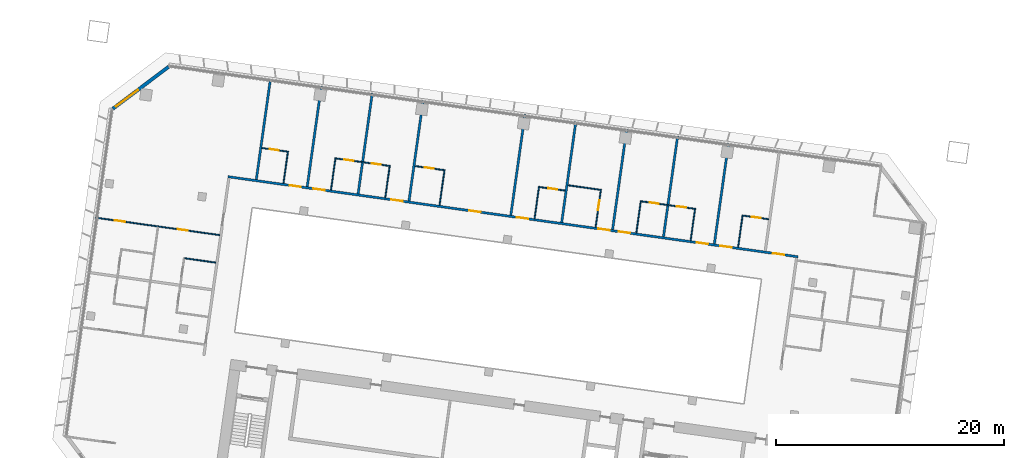
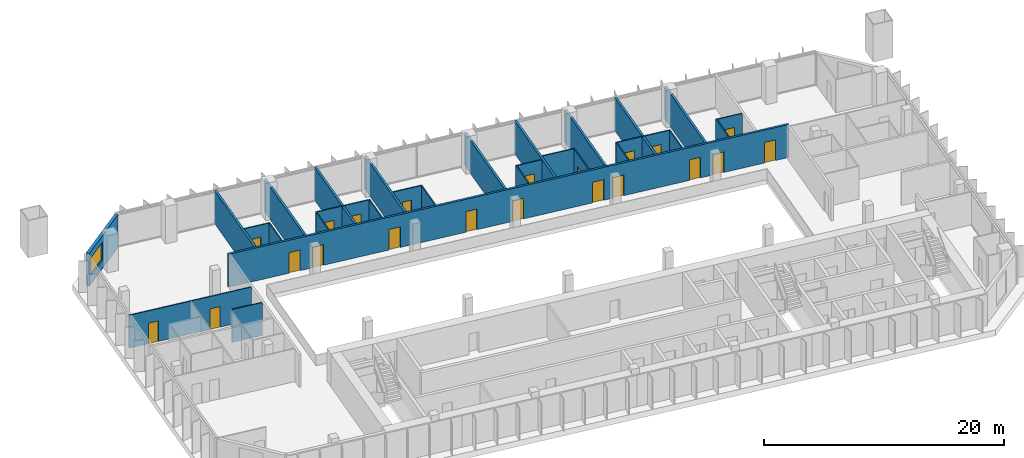
# One storey, part 16 of 24: 29 walls, 21 doors, 1 window, 22 openings.
"""IFC4 building model written with IfcOpenShell, lengths in metres."""

import ifcopenshell
import ifcopenshell.guid

model = None  # the IFC model being written
_history = None  # IfcOwnerHistory: only IFC2X3 demands one
_inside = {}  # id of a spatial element -> (the spatial element, [elements in it])
_under = {}  # id of a project, library or spatial element -> (it, [spatial elements below it])
_declared = {}  # id of a project -> (the project, [libraries it declares])
_typed = {}  # id of a type object -> (the type object, [elements of that type])
_made_of = {}  # id of a material, layer set ... -> (it, [elements and type objects made of it])


def new_model(schema):
    """Start an empty IFC model of exactly this schema.

    Asked for "IFC4X3", IfcOpenShell would pick the latest addendum, in which some entities
    have other attributes; the version numbers below select the first issue.
    IFC2X3 requires an IfcOwnerHistory on every rooted entity: one is made here for all.
    """
    global model, _history
    if schema == "IFC4X3":
        model = ifcopenshell.file(schema_version=(4, 3, 0, 0))
    else:
        model = ifcopenshell.file(schema=schema)
    _inside.clear()
    _under.clear()
    _declared.clear()
    _typed.clear()
    _made_of.clear()
    _history = None
    if model.schema == "IFC2X3":
        org = make("IfcOrganization", Name="unknown")
        user = make(
            "IfcPersonAndOrganization",
            ThePerson=make("IfcPerson", FamilyName="unknown"),
            TheOrganization=org,
        )
        app = make(
            "IfcApplication",
            ApplicationDeveloper=org,
            Version="unknown",
            ApplicationFullName="unknown",
            ApplicationIdentifier="unknown",
        )
        _history = make(
            "IfcOwnerHistory",
            OwningUser=user,
            OwningApplication=app,
            ChangeAction="ADDED",
            CreationDate=0,
        )
    return model


def make(cls, **values):
    """One entity of the class cls with the attributes given. An attribute that is None is left unset."""
    return model.create_entity(
        cls, **{name: value for name, value in values.items() if value is not None}
    )


def rooted(cls, **values):
    """An entity with a GlobalId (a new one), such as an element, a storey or a relation."""
    return make(cls, GlobalId=ifcopenshell.guid.new(), OwnerHistory=_history, **values)


def si_unit(unit_type, name, prefix=None):
    """IfcSIUnit, for example si_unit("LENGTHUNIT", "METRE", prefix="MILLI")."""
    return make("IfcSIUnit", UnitType=unit_type, Prefix=prefix, Name=name)


def assignment(units):
    """IfcUnitAssignment: the units of a project."""
    return None if units is None else make("IfcUnitAssignment", Units=units)


def point(xyz):
    """IfcCartesianPoint."""
    return None if xyz is None else make("IfcCartesianPoint", Coordinates=xyz)


def direction(xyz):
    """IfcDirection."""
    return None if xyz is None else make("IfcDirection", DirectionRatios=xyz)


def frame(location, z_axis=None, x_axis=None):
    """IfcAxis2Placement3D, a coordinate frame: its origin and axes. An axis left out is left unset."""
    return make(
        "IfcAxis2Placement3D",
        Location=point(location),
        Axis=direction(z_axis),
        RefDirection=direction(x_axis),
    )


def frame_2d(location, x_axis=None):
    """IfcAxis2Placement2D, a coordinate frame in the plane: its origin and x axis."""
    return make(
        "IfcAxis2Placement2D", Location=point(location), RefDirection=direction(x_axis)
    )


def origin():
    """The frame at (0, 0, 0) with its axes left unset."""
    return frame((0.0, 0.0, 0.0))


def place(relative_to, where):
    """IfcLocalPlacement: puts the frame where relative to a parent placement (None: the world)."""
    return make(
        "IfcLocalPlacement", PlacementRelTo=relative_to, RelativePlacement=where
    )


def context(
    kind, dimensions, precision=None, world=None, true_north=None, identifier=None
):
    """IfcGeometricRepresentationContext, for example the 3D "Model" context."""
    return make(
        "IfcGeometricRepresentationContext",
        ContextIdentifier=identifier,
        ContextType=kind,
        CoordinateSpaceDimension=dimensions,
        Precision=precision,
        WorldCoordinateSystem=world,
        TrueNorth=true_north,
    )


def subcontext(parent, identifier, kind, view, scale=None):
    """IfcGeometricRepresentationSubContext, for example "Body" below "Model"."""
    return make(
        "IfcGeometricRepresentationSubContext",
        ContextIdentifier=identifier,
        ContextType=kind,
        ParentContext=parent,
        TargetScale=scale,
        TargetView=view,
    )


def project(units=None, contexts=None):
    """IfcProject with its units and contexts."""
    return rooted(
        "IfcProject",
        Name="project",
        RepresentationContexts=contexts,
        UnitsInContext=assignment(units),
    )


def spatial(cls, under=None, at=None, **own):
    """A site, building, storey or space (cls), placed at a placement, below another one or the project."""
    s = rooted(cls, ObjectPlacement=at, **own)
    if under is not None:
        _under.setdefault(under.id(), (under, []))[1].append(s)
    return s


def profile(cls, at=None, kind="AREA", **sizes):
    """A parametric profile (cls). Its sizes go by their IFC names, for example OverallWidth=200.0."""
    return make(cls, ProfileType=kind, Position=at, **sizes)


def rectangle(**sizes):
    """IfcRectangleProfileDef."""
    return profile("IfcRectangleProfileDef", **sizes)


def extrude(swept, where, along, depth):
    """IfcExtrudedAreaSolid: the profile swept, set in the frame where, extruded along a direction by depth."""
    return make(
        "IfcExtrudedAreaSolid",
        SweptArea=swept,
        Position=where,
        ExtrudedDirection=direction(along),
        Depth=depth,
    )


def shape(context_of_items, identifier, shape_type, items):
    """IfcShapeRepresentation: the items that make up one representation, for example the "Body"."""
    return make(
        "IfcShapeRepresentation",
        ContextOfItems=context_of_items,
        RepresentationIdentifier=identifier,
        RepresentationType=shape_type,
        Items=items,
    )


def material(Name=None, Category=None):
    """IfcMaterial."""
    return make("IfcMaterial", Name=Name, Category=Category)


def layer(
    of_material, thickness, ventilated=None, Name=None, Category=None, Priority=None
):
    """IfcMaterialLayer: one layer of a wall or slab, of a material (None: an air gap)."""
    return make(
        "IfcMaterialLayer",
        Material=of_material,
        LayerThickness=thickness,
        IsVentilated=ventilated,
        Name=Name,
        Category=Category,
        Priority=Priority,
    )


def layer_set(layers, Name=None):
    """IfcMaterialLayerSet."""
    return make("IfcMaterialLayerSet", MaterialLayers=layers, LayerSetName=Name)


def made_of(thing, what):
    """Note that an element or type object is made of a material, layer set ...; save() writes the relation."""
    if what is not None:
        _made_of.setdefault(what.id(), (what, []))[1].append(thing)
    return thing


def type_object(cls, material=None, **own):
    """A type object (cls), such as IfcWallType, which elements share."""
    return made_of(rooted(cls, **own), material)


def element(
    cls,
    number,
    at=None,
    inside=None,
    cuts=None,
    type_object=None,
    material=None,
    context=None,
    identifier="Body",
    shape_type=None,
    held_by="IfcProductDefinitionShape",
    body=None,
    shapes=None,
    **own,
):
    """One element of the class cls, such as IfcWall. Its Tag is "e" and its number.

    at: its placement. inside: the storey or other place that contains it. cuts: it is an
    opening in that element (IfcRelVoidsElement). A single representation is given by context,
    identifier, shape_type and body (its items); several are given by shapes. held_by: the class
    of the entity that holds the representations. save() writes the other relations.
    """
    e = rooted(cls, Tag="e%d" % number, ObjectPlacement=at, **own)
    if body is not None:
        shapes = [shape(context, identifier, shape_type, body)]
    if shapes is not None:
        e.Representation = make(held_by, Representations=shapes)
    if inside is not None:
        _inside.setdefault(inside.id(), (inside, []))[1].append(e)
    if cuts is not None:
        rooted(
            "IfcRelVoidsElement", RelatingBuildingElement=cuts, RelatedOpeningElement=e
        )
    if type_object is not None:
        _typed.setdefault(type_object.id(), (type_object, []))[1].append(e)
    return made_of(e, material)


def fill(opening, filler):
    """IfcRelFillsElement: the door or window that sits in an opening."""
    return rooted(
        "IfcRelFillsElement",
        RelatingOpeningElement=opening,
        RelatedBuildingElement=filler,
    )


def aggregate(whole, parts):
    """IfcRelAggregates: a whole, such as a stair, and the parts it consists of."""
    return rooted("IfcRelAggregates", RelatingObject=whole, RelatedObjects=parts)


def save(model, path):
    """Write the relations noted so far, then the file.

    IfcRelAggregates (storeys below a building ...), IfcRelContainedInSpatialStructure (elements
    in a storey), IfcRelDefinesByType, IfcRelAssociatesMaterial and IfcRelDeclares: one each for
    every whole, place, type object, material and project.
    """
    for whole, parts in _under.values():
        aggregate(whole, parts)
    for where, things in _inside.values():
        rooted(
            "IfcRelContainedInSpatialStructure",
            RelatedElements=things,
            RelatingStructure=where,
        )
    for kind, things in _typed.values():
        rooted("IfcRelDefinesByType", RelatedObjects=things, RelatingType=kind)
    for what, things in _made_of.values():
        rooted("IfcRelAssociatesMaterial", RelatedObjects=things, RelatingMaterial=what)
    for by, libraries in _declared.values():
        rooted("IfcRelDeclares", RelatingContext=by, RelatedDefinitions=libraries)
    model.write(path)


model = new_model("IFC4")

# Units and contexts
model_context = context("Model", 3, precision=1e-05, world=origin(), true_north=direction((0.0, 1.0)))
body_context = subcontext(model_context, "Body", "Model", "MODEL_VIEW")
ifc_project = project(units=[si_unit("LENGTHUNIT", "METRE"), si_unit("AREAUNIT", "SQUARE_METRE"), si_unit("VOLUMEUNIT", "CUBIC_METRE"), si_unit("PLANEANGLEUNIT", "RADIAN"), si_unit("MASSUNIT", "GRAM", prefix="KILO")], contexts=[model_context])

# Site, building, storey
site_placement = place(None, origin())
site = spatial("IfcSite", under=ifc_project, at=site_placement, CompositionType="ELEMENT")
building_placement = place(site_placement, origin())
building = spatial("IfcBuilding", under=site, at=building_placement, Name="Mirante Cascada Hotel Towers", CompositionType="ELEMENT")
storey_placement = place(building_placement, frame((0.0, 0.0, 47.1)))
storey = spatial("IfcBuildingStorey", under=building, at=storey_placement, Name="L08", CompositionType="ELEMENT", Elevation=47.1)

# Wall, openings, doors
ifc_material_1 = material(Name="Fire-rated plasterboard on metal studs")
ifc_layer_1 = layer(ifc_material_1, 0.2)
ifc_layer_set_1 = layer_set([ifc_layer_1], Name="Compartment wall 200 EI 120")
wall_type_1 = type_object("IfcWallType", Name="Compartment wall 200 EI 120", PredefinedType="PARTITIONING", material=ifc_layer_set_1)
wall_1_placement = place(storey_placement, frame((-89.0146, 16.3922, 0.0), z_axis=(0.0, 0.0, 1.0), x_axis=(0.9902681, -0.1391727, 0.0)))
wall_1 = element("IfcWall", 1, at=wall_1_placement, inside=storey, type_object=wall_type_1, Name="Wall 1-L08-18", PredefinedType="PARTITIONING", context=body_context, shape_type="SweptSolid", body=[
    extrude(rectangle(XDim=50.4, YDim=0.2, at=frame_2d((25.2, 0.0))), origin(), (0.0, 0.0, 1.0), 3.35),
])
opening_1_placement = place(wall_1_placement, frame((48.2, 0.0, 0.0)))
opening_1 = element("IfcOpeningElement", 2, at=opening_1_placement, cuts=wall_1, Name="Opening D1-L08-09", PredefinedType="OPENING", context=body_context, shape_type="SweptSolid", body=[
    extrude(rectangle(XDim=1.0, YDim=2.1, at=frame_2d((0.5, 1.05))), frame((0.0, 0.1, 0.0), z_axis=(0.0, -1.0, 0.0), x_axis=(1.0, 0.0, 0.0)), (0.0, 0.0, 1.0), 0.2),
])
opening_2_placement = place(wall_1_placement, frame((43.55, 0.0, 0.0)))
opening_2 = element("IfcOpeningElement", 3, at=opening_2_placement, cuts=wall_1, Name="Opening D1-L08-10", PredefinedType="OPENING", context=body_context, shape_type="SweptSolid", body=[
    extrude(rectangle(XDim=1.0, YDim=2.1, at=frame_2d((0.5, 1.05))), frame((0.0, 0.1, 0.0), z_axis=(0.0, -1.0, 0.0), x_axis=(1.0, 0.0, 0.0)), (0.0, 0.0, 1.0), 0.2),
])
opening_3_placement = place(wall_1_placement, frame((41.45, 0.0, 0.0)))
opening_3 = element("IfcOpeningElement", 4, at=opening_3_placement, cuts=wall_1, Name="Opening D1-L08-11", PredefinedType="OPENING", context=body_context, shape_type="SweptSolid", body=[
    extrude(rectangle(XDim=1.0, YDim=2.1, at=frame_2d((0.5, 1.05))), frame((0.0, 0.1, 0.0), z_axis=(0.0, -1.0, 0.0), x_axis=(1.0, 0.0, 0.0)), (0.0, 0.0, 1.0), 0.2),
])
opening_4_placement = place(wall_1_placement, frame((34.55, 0.0, 0.0)))
opening_4 = element("IfcOpeningElement", 5, at=opening_4_placement, cuts=wall_1, Name="Opening D1-L08-12", PredefinedType="OPENING", context=body_context, shape_type="SweptSolid", body=[
    extrude(rectangle(XDim=1.0, YDim=2.1, at=frame_2d((0.5, 1.05))), frame((0.0, 0.1, 0.0), z_axis=(0.0, -1.0, 0.0), x_axis=(1.0, 0.0, 0.0)), (0.0, 0.0, 1.0), 0.2),
])
opening_5_placement = place(wall_1_placement, frame((32.75, 0.0, 0.0)))
opening_5 = element("IfcOpeningElement", 6, at=opening_5_placement, cuts=wall_1, Name="Opening D1-L08-13", PredefinedType="OPENING", context=body_context, shape_type="SweptSolid", body=[
    extrude(rectangle(XDim=1.0, YDim=2.1, at=frame_2d((0.5, 1.05))), frame((0.0, 0.1, 0.0), z_axis=(0.0, -1.0, 0.0), x_axis=(1.0, 0.0, 0.0)), (0.0, 0.0, 1.0), 0.2),
])
opening_6_placement = place(wall_1_placement, frame((25.55, 0.0, 0.0)))
opening_6 = element("IfcOpeningElement", 7, at=opening_6_placement, cuts=wall_1, Name="Opening D1-L08-14", PredefinedType="OPENING", context=body_context, shape_type="SweptSolid", body=[
    extrude(rectangle(XDim=1.0, YDim=2.1, at=frame_2d((0.5, 1.05))), frame((0.0, 0.1, 0.0), z_axis=(0.0, -1.0, 0.0), x_axis=(1.0, 0.0, 0.0)), (0.0, 0.0, 1.0), 0.2),
])
opening_7_placement = place(wall_1_placement, frame((21.35, 0.0, 0.0)))
opening_7 = element("IfcOpeningElement", 8, at=opening_7_placement, cuts=wall_1, Name="Opening D1-L08-15", PredefinedType="OPENING", context=body_context, shape_type="SweptSolid", body=[
    extrude(rectangle(XDim=1.0, YDim=2.1, at=frame_2d((0.5, 1.05))), frame((0.0, 0.1, 0.0), z_axis=(0.0, -1.0, 0.0), x_axis=(1.0, 0.0, 0.0)), (0.0, 0.0, 1.0), 0.2),
])
opening_8_placement = place(wall_1_placement, frame((14.45, 0.0, 0.0)))
opening_8 = element("IfcOpeningElement", 9, at=opening_8_placement, cuts=wall_1, Name="Opening D1-L08-16", PredefinedType="OPENING", context=body_context, shape_type="SweptSolid", body=[
    extrude(rectangle(XDim=1.0, YDim=2.1, at=frame_2d((0.5, 1.05))), frame((0.0, 0.1, 0.0), z_axis=(0.0, -1.0, 0.0), x_axis=(1.0, 0.0, 0.0)), (0.0, 0.0, 1.0), 0.2),
])
opening_9_placement = place(wall_1_placement, frame((7.55, 0.0, 0.0)))
opening_9 = element("IfcOpeningElement", 10, at=opening_9_placement, cuts=wall_1, Name="Opening D1-L08-17", PredefinedType="OPENING", context=body_context, shape_type="SweptSolid", body=[
    extrude(rectangle(XDim=1.0, YDim=2.1, at=frame_2d((0.5, 1.05))), frame((0.0, 0.1, 0.0), z_axis=(0.0, -1.0, 0.0), x_axis=(1.0, 0.0, 0.0)), (0.0, 0.0, 1.0), 0.2),
])
opening_10_placement = place(wall_1_placement, frame((5.45, 0.0, 0.0)))
opening_10 = element("IfcOpeningElement", 11, at=opening_10_placement, cuts=wall_1, Name="Opening D1-L08-18", PredefinedType="OPENING", context=body_context, shape_type="SweptSolid", body=[
    extrude(rectangle(XDim=1.0, YDim=2.1, at=frame_2d((0.5, 1.05))), frame((0.0, 0.1, 0.0), z_axis=(0.0, -1.0, 0.0), x_axis=(1.0, 0.0, 0.0)), (0.0, 0.0, 1.0), 0.2),
])
ifc_material_2 = material(Name="Fire-rated timber door leaf", Category="wood")
door_type_1 = type_object("IfcDoorType", Name="Entrance door DG1 1000x2100 EI 60", OperationType="SINGLE_SWING_LEFT", PredefinedType="DOOR", material=ifc_material_2)
door_1_placement = place(opening_1_placement, origin())
door_1 = element("IfcDoor", 12, at=door_1_placement, inside=storey, type_object=door_type_1, Name="Door D1-L08-09", OperationType="SINGLE_SWING_LEFT", OverallHeight=2.1, OverallWidth=1.0, PredefinedType="DOOR", context=body_context, shape_type="SweptSolid", body=[
    extrude(rectangle(XDim=1.0, YDim=2.1, at=frame_2d((0.5, 1.05))), frame((0.0, 0.025, 0.0), z_axis=(0.0, -1.0, 0.0), x_axis=(1.0, 0.0, 0.0)), (0.0, 0.0, 1.0), 0.05),
])
fill(opening_1, door_1)
door_2_placement = place(opening_2_placement, origin())
door_2 = element("IfcDoor", 13, at=door_2_placement, inside=storey, type_object=door_type_1, Name="Door D1-L08-10", OperationType="SINGLE_SWING_LEFT", OverallHeight=2.1, OverallWidth=1.0, PredefinedType="DOOR", context=body_context, shape_type="SweptSolid", body=[
    extrude(rectangle(XDim=1.0, YDim=2.1, at=frame_2d((0.5, 1.05))), frame((0.0, 0.025, 0.0), z_axis=(0.0, -1.0, 0.0), x_axis=(1.0, 0.0, 0.0)), (0.0, 0.0, 1.0), 0.05),
])
fill(opening_2, door_2)
door_3_placement = place(opening_3_placement, origin())
door_3 = element("IfcDoor", 14, at=door_3_placement, inside=storey, type_object=door_type_1, Name="Door D1-L08-11", OperationType="SINGLE_SWING_LEFT", OverallHeight=2.1, OverallWidth=1.0, PredefinedType="DOOR", context=body_context, shape_type="SweptSolid", body=[
    extrude(rectangle(XDim=1.0, YDim=2.1, at=frame_2d((0.5, 1.05))), frame((0.0, 0.025, 0.0), z_axis=(0.0, -1.0, 0.0), x_axis=(1.0, 0.0, 0.0)), (0.0, 0.0, 1.0), 0.05),
])
fill(opening_3, door_3)
door_4_placement = place(opening_4_placement, origin())
door_4 = element("IfcDoor", 15, at=door_4_placement, inside=storey, type_object=door_type_1, Name="Door D1-L08-12", OperationType="SINGLE_SWING_LEFT", OverallHeight=2.1, OverallWidth=1.0, PredefinedType="DOOR", context=body_context, shape_type="SweptSolid", body=[
    extrude(rectangle(XDim=1.0, YDim=2.1, at=frame_2d((0.5, 1.05))), frame((0.0, 0.025, 0.0), z_axis=(0.0, -1.0, 0.0), x_axis=(1.0, 0.0, 0.0)), (0.0, 0.0, 1.0), 0.05),
])
fill(opening_4, door_4)
door_5_placement = place(opening_5_placement, origin())
door_5 = element("IfcDoor", 16, at=door_5_placement, inside=storey, type_object=door_type_1, Name="Door D1-L08-13", OperationType="SINGLE_SWING_LEFT", OverallHeight=2.1, OverallWidth=1.0, PredefinedType="DOOR", context=body_context, shape_type="SweptSolid", body=[
    extrude(rectangle(XDim=1.0, YDim=2.1, at=frame_2d((0.5, 1.05))), frame((0.0, 0.025, 0.0), z_axis=(0.0, -1.0, 0.0), x_axis=(1.0, 0.0, 0.0)), (0.0, 0.0, 1.0), 0.05),
])
fill(opening_5, door_5)
door_6_placement = place(opening_6_placement, origin())
door_6 = element("IfcDoor", 17, at=door_6_placement, inside=storey, type_object=door_type_1, Name="Door D1-L08-14", OperationType="SINGLE_SWING_LEFT", OverallHeight=2.1, OverallWidth=1.0, PredefinedType="DOOR", context=body_context, shape_type="SweptSolid", body=[
    extrude(rectangle(XDim=1.0, YDim=2.1, at=frame_2d((0.5, 1.05))), frame((0.0, 0.025, 0.0), z_axis=(0.0, -1.0, 0.0), x_axis=(1.0, 0.0, 0.0)), (0.0, 0.0, 1.0), 0.05),
])
fill(opening_6, door_6)
door_7_placement = place(opening_7_placement, origin())
door_7 = element("IfcDoor", 18, at=door_7_placement, inside=storey, type_object=door_type_1, Name="Door D1-L08-15", OperationType="SINGLE_SWING_LEFT", OverallHeight=2.1, OverallWidth=1.0, PredefinedType="DOOR", context=body_context, shape_type="SweptSolid", body=[
    extrude(rectangle(XDim=1.0, YDim=2.1, at=frame_2d((0.5, 1.05))), frame((0.0, 0.025, 0.0), z_axis=(0.0, -1.0, 0.0), x_axis=(1.0, 0.0, 0.0)), (0.0, 0.0, 1.0), 0.05),
])
fill(opening_7, door_7)
door_8_placement = place(opening_8_placement, origin())
door_8 = element("IfcDoor", 19, at=door_8_placement, inside=storey, type_object=door_type_1, Name="Door D1-L08-16", OperationType="SINGLE_SWING_LEFT", OverallHeight=2.1, OverallWidth=1.0, PredefinedType="DOOR", context=body_context, shape_type="SweptSolid", body=[
    extrude(rectangle(XDim=1.0, YDim=2.1, at=frame_2d((0.5, 1.05))), frame((0.0, 0.025, 0.0), z_axis=(0.0, -1.0, 0.0), x_axis=(1.0, 0.0, 0.0)), (0.0, 0.0, 1.0), 0.05),
])
fill(opening_8, door_8)
door_9_placement = place(opening_9_placement, origin())
door_9 = element("IfcDoor", 20, at=door_9_placement, inside=storey, type_object=door_type_1, Name="Door D1-L08-17", OperationType="SINGLE_SWING_LEFT", OverallHeight=2.1, OverallWidth=1.0, PredefinedType="DOOR", context=body_context, shape_type="SweptSolid", body=[
    extrude(rectangle(XDim=1.0, YDim=2.1, at=frame_2d((0.5, 1.05))), frame((0.0, 0.025, 0.0), z_axis=(0.0, -1.0, 0.0), x_axis=(1.0, 0.0, 0.0)), (0.0, 0.0, 1.0), 0.05),
])
fill(opening_9, door_9)
door_10_placement = place(opening_10_placement, origin())
door_10 = element("IfcDoor", 21, at=door_10_placement, inside=storey, type_object=door_type_1, Name="Door D1-L08-18", OperationType="SINGLE_SWING_LEFT", OverallHeight=2.1, OverallWidth=1.0, PredefinedType="DOOR", context=body_context, shape_type="SweptSolid", body=[
    extrude(rectangle(XDim=1.0, YDim=2.1, at=frame_2d((0.5, 1.05))), frame((0.0, 0.025, 0.0), z_axis=(0.0, -1.0, 0.0), x_axis=(1.0, 0.0, 0.0)), (0.0, 0.0, 1.0), 0.05),
])
fill(opening_10, door_10)

# Walls
for number, where, z_axis, x_axis, name in (
    (22, (-46.4192, 10.5068, 0.0), (0.0, 0.0, 1.0), (0.1391794, 0.9902672, 0.0), "Wall 1-L08-37"),
    (23, (-50.8754, 11.1331, 0.0), (0.0, 0.0, 1.0), (0.1391794, 0.9902672, 0.0), "Wall 1-L08-39"),
    (24, (-55.3316, 11.7594, 0.0), (0.0, 0.0, 1.0), (0.1391794, 0.9902672, 0.0), "Wall 1-L08-41"),
):
    element("IfcWall", number, at=place(storey_placement, frame(where, z_axis=z_axis, x_axis=x_axis)), inside=storey, type_object=wall_type_1, Name=name, PredefinedType="PARTITIONING", context=body_context, shape_type="SweptSolid", body=[
        extrude(rectangle(XDim=8.9, YDim=0.2, at=frame_2d((4.45, 0.0))), origin(), (0.0, 0.0, 1.0), 3.35),
    ])
wall_2_placement = place(storey_placement, frame((-59.7878, 12.3857, 0.0), z_axis=(0.0, 0.0, 1.0), x_axis=(0.13917, 0.9902685, 0.0)))
element("IfcWall", 25, at=wall_2_placement, inside=storey, type_object=wall_type_1, Name="Wall 1-L08-43", PredefinedType="PARTITIONING", context=body_context, shape_type="SweptSolid", body=[
    extrude(rectangle(XDim=8.8999, YDim=0.2, at=frame_2d((4.45, 0.0))), origin(), (0.0, 0.0, 1.0), 3.35),
])
for number, where, z_axis, x_axis, name in (
    (26, (-64.244, 13.0119, 0.0), (0.0, 0.0, 1.0), (0.1391684, 0.9902687, 0.0), "Wall 1-L08-45"),
    (27, (-73.1564, 14.2645, 0.0), (0.0, 0.0, 1.0), (0.1391684, 0.9902687, 0.0), "Wall 1-L08-47"),
    (28, (-77.6126, 14.8908, 0.0), (0.0, 0.0, 1.0), (0.1391684, 0.9902687, 0.0), "Wall 1-L08-49"),
):
    element("IfcWall", number, at=place(storey_placement, frame(where, z_axis=z_axis, x_axis=x_axis)), inside=storey, type_object=wall_type_1, Name=name, PredefinedType="PARTITIONING", context=body_context, shape_type="SweptSolid", body=[
        extrude(rectangle(XDim=8.9, YDim=0.2, at=frame_2d((4.45, 0.0))), origin(), (0.0, 0.0, 1.0), 3.35),
    ])
wall_3_placement = place(storey_placement, frame((-82.0688, 15.5171, 0.0), z_axis=(0.0, 0.0, 1.0), x_axis=(0.13917, 0.9902685, 0.0)))
element("IfcWall", 29, at=wall_3_placement, inside=storey, type_object=wall_type_1, Name="Wall 1-L08-51", PredefinedType="PARTITIONING", context=body_context, shape_type="SweptSolid", body=[
    extrude(rectangle(XDim=8.8999, YDim=0.2, at=frame_2d((4.45, 0.0))), origin(), (0.0, 0.0, 1.0), 3.35),
])
wall_4_placement = place(storey_placement, frame((-86.525, 16.1433, 0.0), z_axis=(0.0, 0.0, 1.0), x_axis=(0.1391684, 0.9902687, 0.0)))
element("IfcWall", 30, at=wall_4_placement, inside=storey, type_object=wall_type_1, Name="Wall 1-L08-53", PredefinedType="PARTITIONING", context=body_context, shape_type="SweptSolid", body=[
    extrude(rectangle(XDim=8.9, YDim=0.2, at=frame_2d((4.45, 0.0))), origin(), (0.0, 0.0, 1.0), 3.35),
])
ifc_material_3 = material(Name="Plasterboard on metal studs")
ifc_layer_2 = layer(ifc_material_3, 0.1)
ifc_layer_set_2 = layer_set([ifc_layer_2], Name="Partition 100")
wall_type_2 = type_object("IfcWallType", Name="Partition 100", PredefinedType="PARTITIONING", material=ifc_layer_set_2)
wall_5_placement = place(storey_placement, frame((-90.0723, 8.8662, 0.0), z_axis=(0.0, 0.0, 1.0), x_axis=(-0.9902698, 0.1391607, 0.0)))
element("IfcWall", 31, at=wall_5_placement, inside=storey, type_object=wall_type_2, Name="Wall 1-L08-11", PredefinedType="PARTITIONING", context=body_context, shape_type="SweptSolid", body=[
    extrude(rectangle(XDim=2.7501, YDim=0.1, at=frame_2d((1.3751, 0.0))), origin(), (0.0, 0.0, 1.0), 3.35),
])

# Wall, openings, doors
wall_6_placement = place(storey_placement, frame((-100.6266, 12.8067, 0.0), z_axis=(0.0, 0.0, 1.0), x_axis=(0.990268, -0.1391733, 0.0)))
wall_6 = element("IfcWall", 32, at=wall_6_placement, inside=storey, type_object=wall_type_2, Name="Wall 1-L08-14", PredefinedType="PARTITIONING", context=body_context, shape_type="SweptSolid", body=[
    extrude(rectangle(XDim=11.0, YDim=0.1, at=frame_2d((5.5, 0.0))), origin(), (0.0, 0.0, 1.0), 3.35),
])
opening_11_placement = place(wall_6_placement, frame((7.275, 0.0, 0.0)))
opening_11 = element("IfcOpeningElement", 33, at=opening_11_placement, cuts=wall_6, Name="Opening D1-L08-05", PredefinedType="OPENING", context=body_context, shape_type="SweptSolid", body=[
    extrude(rectangle(XDim=0.9, YDim=2.1, at=frame_2d((0.45, 1.05))), frame((0.0, 0.05, 0.0), z_axis=(0.0, -1.0, 0.0), x_axis=(1.0, 0.0, 0.0)), (0.0, 0.0, 1.0), 0.1),
])
opening_12_placement = place(wall_6_placement, frame((1.725, 0.0, 0.0)))
opening_12 = element("IfcOpeningElement", 34, at=opening_12_placement, cuts=wall_6, Name="Opening D1-L08-06", PredefinedType="OPENING", context=body_context, shape_type="SweptSolid", body=[
    extrude(rectangle(XDim=0.9, YDim=2.1, at=frame_2d((0.45, 1.05))), frame((0.0, 0.05, 0.0), z_axis=(0.0, -1.0, 0.0), x_axis=(1.0, 0.0, 0.0)), (0.0, 0.0, 1.0), 0.1),
])
ifc_material_4 = material(Name="Timber door leaf", Category="wood")
door_type_2 = type_object("IfcDoorType", Name="Room door DG3 900x2100", OperationType="SINGLE_SWING_LEFT", PredefinedType="DOOR", material=ifc_material_4)
door_11_placement = place(opening_11_placement, origin())
door_11 = element("IfcDoor", 35, at=door_11_placement, inside=storey, type_object=door_type_2, Name="Door D1-L08-05", OperationType="SINGLE_SWING_LEFT", OverallHeight=2.1, OverallWidth=0.9, PredefinedType="DOOR", context=body_context, shape_type="SweptSolid", body=[
    extrude(rectangle(XDim=0.9, YDim=2.1, at=frame_2d((0.45, 1.05))), frame((0.0, 0.025, 0.0), z_axis=(0.0, -1.0, 0.0), x_axis=(1.0, 0.0, 0.0)), (0.0, 0.0, 1.0), 0.05),
])
fill(opening_11, door_11)
door_12_placement = place(opening_12_placement, origin())
door_12 = element("IfcDoor", 36, at=door_12_placement, inside=storey, type_object=door_type_2, Name="Door D1-L08-06", OperationType="SINGLE_SWING_LEFT", OverallHeight=2.1, OverallWidth=0.9, PredefinedType="DOOR", context=body_context, shape_type="SweptSolid", body=[
    extrude(rectangle(XDim=0.9, YDim=2.1, at=frame_2d((0.45, 1.05))), frame((0.0, 0.025, 0.0), z_axis=(0.0, -1.0, 0.0), x_axis=(1.0, 0.0, 0.0)), (0.0, 0.0, 1.0), 0.05),
])
fill(opening_12, door_12)

# Wall, opening, door
wall_7_placement = place(storey_placement, frame((-41.6723, 12.6672, 0.0), z_axis=(0.0, 0.0, 1.0), x_axis=(-0.9902643, 0.1391997, 0.0)))
wall_7 = element("IfcWall", 37, at=wall_7_placement, inside=storey, type_object=wall_type_2, Name="Wall 1-L08-19", PredefinedType="PARTITIONING", context=body_context, shape_type="SweptSolid", body=[
    extrude(rectangle(XDim=2.25, YDim=0.1, at=frame_2d((1.125, 0.0))), origin(), (0.0, 0.0, 1.0), 3.35),
])
opening_13_placement = place(wall_7_placement, frame((0.7, 0.0, 0.0)))
opening_13 = element("IfcOpeningElement", 38, at=opening_13_placement, cuts=wall_7, Name="Opening D1-L08-19", PredefinedType="OPENING", context=body_context, shape_type="SweptSolid", body=[
    extrude(rectangle(XDim=0.8, YDim=2.1, at=frame_2d((0.4, 1.05))), frame((0.0, 0.05, 0.0), z_axis=(0.0, -1.0, 0.0), x_axis=(1.0, 0.0, 0.0)), (0.0, 0.0, 1.0), 0.1),
])
ifc_material_5 = material(Name="Timber door leaf", Category="wood")
door_type_3 = type_object("IfcDoorType", Name="Bathroom door DG4 800x2100", OperationType="SINGLE_SWING_LEFT", PredefinedType="DOOR", material=ifc_material_5)
door_13_placement = place(opening_13_placement, frame((0.8, 0.0, 0.0), z_axis=(0.0, 0.0, 1.0), x_axis=(-1.0, 0.0, 0.0)))
door_13 = element("IfcDoor", 39, at=door_13_placement, inside=storey, type_object=door_type_3, Name="Door D1-L08-19", OperationType="SINGLE_SWING_RIGHT", OverallHeight=2.1, OverallWidth=0.8, PredefinedType="DOOR", context=body_context, shape_type="SweptSolid", body=[
    extrude(rectangle(XDim=0.8, YDim=2.1, at=frame_2d((0.4, 1.05))), frame((0.0, 0.025, 0.0), z_axis=(0.0, -1.0, 0.0), x_axis=(1.0, 0.0, 0.0)), (0.0, 0.0, 1.0), 0.05),
])
fill(opening_13, door_13)

# Wall, openings, doors
wall_8_placement = place(storey_placement, frame((-52.9119, 14.2468, 0.0), z_axis=(0.0, 0.0, 1.0), x_axis=(0.9902698, -0.139161, 0.0)))
wall_8 = element("IfcWall", 40, at=wall_8_placement, inside=storey, type_object=wall_type_2, Name="Wall 1-L08-20", PredefinedType="PARTITIONING", context=body_context, shape_type="SweptSolid", body=[
    extrude(rectangle(XDim=4.9001, YDim=0.1, at=frame_2d((2.45, 0.0))), origin(), (0.0, 0.0, 1.0), 3.35),
])
opening_14_placement = place(wall_8_placement, frame((3.25, 0.0, 0.0)))
opening_14 = element("IfcOpeningElement", 41, at=opening_14_placement, cuts=wall_8, Name="Opening D1-L08-20", PredefinedType="OPENING", context=body_context, shape_type="SweptSolid", body=[
    extrude(rectangle(XDim=0.8, YDim=2.1, at=frame_2d((0.4, 1.05))), frame((0.0, 0.05, 0.0), z_axis=(0.0, -1.0, 0.0), x_axis=(1.0, 0.0, 0.0)), (0.0, 0.0, 1.0), 0.1),
])
opening_15_placement = place(wall_8_placement, frame((0.85, 0.0, 0.0)))
opening_15 = element("IfcOpeningElement", 42, at=opening_15_placement, cuts=wall_8, Name="Opening D1-L08-21", PredefinedType="OPENING", context=body_context, shape_type="SweptSolid", body=[
    extrude(rectangle(XDim=0.8, YDim=2.1, at=frame_2d((0.4, 1.05))), frame((0.0, 0.05, 0.0), z_axis=(0.0, -1.0, 0.0), x_axis=(1.0, 0.0, 0.0)), (0.0, 0.0, 1.0), 0.1),
])
door_14_placement = place(opening_14_placement, origin())
door_14 = element("IfcDoor", 43, at=door_14_placement, inside=storey, type_object=door_type_3, Name="Door D1-L08-20", OperationType="SINGLE_SWING_LEFT", OverallHeight=2.1, OverallWidth=0.8, PredefinedType="DOOR", context=body_context, shape_type="SweptSolid", body=[
    extrude(rectangle(XDim=0.8, YDim=2.1, at=frame_2d((0.4, 1.05))), frame((0.0, 0.025, 0.0), z_axis=(0.0, -1.0, 0.0), x_axis=(1.0, 0.0, 0.0)), (0.0, 0.0, 1.0), 0.05),
])
fill(opening_14, door_14)
door_15_placement = place(opening_15_placement, origin())
door_15 = element("IfcDoor", 44, at=door_15_placement, inside=storey, type_object=door_type_3, Name="Door D1-L08-21", OperationType="SINGLE_SWING_LEFT", OverallHeight=2.1, OverallWidth=0.8, PredefinedType="DOOR", context=body_context, shape_type="SweptSolid", body=[
    extrude(rectangle(XDim=0.8, YDim=2.1, at=frame_2d((0.4, 1.05))), frame((0.0, 0.025, 0.0), z_axis=(0.0, -1.0, 0.0), x_axis=(1.0, 0.0, 0.0)), (0.0, 0.0, 1.0), 0.05),
])
fill(opening_15, door_15)

# Wall, opening, door
wall_9_placement = place(storey_placement, frame((-59.4971, 15.1723, 0.0), z_axis=(0.0, 0.0, 1.0), x_axis=(-0.9902643, 0.1391997, 0.0)))
wall_9 = element("IfcWall", 45, at=wall_9_placement, inside=storey, type_object=wall_type_2, Name="Wall 1-L08-21", PredefinedType="PARTITIONING", context=body_context, shape_type="SweptSolid", body=[
    extrude(rectangle(XDim=2.25, YDim=0.1, at=frame_2d((1.125, 0.0))), origin(), (0.0, 0.0, 1.0), 3.35),
])
opening_16_placement = place(wall_9_placement, frame((0.7, 0.0, 0.0)))
opening_16 = element("IfcOpeningElement", 46, at=opening_16_placement, cuts=wall_9, Name="Opening D1-L08-22", PredefinedType="OPENING", context=body_context, shape_type="SweptSolid", body=[
    extrude(rectangle(XDim=0.8, YDim=2.1, at=frame_2d((0.4, 1.05))), frame((0.0, 0.05, 0.0), z_axis=(0.0, -1.0, 0.0), x_axis=(1.0, 0.0, 0.0)), (0.0, 0.0, 1.0), 0.1),
])
door_16_placement = place(opening_16_placement, frame((0.8, 0.0, 0.0), z_axis=(0.0, 0.0, 1.0), x_axis=(-1.0, 0.0, 0.0)))
door_16 = element("IfcDoor", 47, at=door_16_placement, inside=storey, type_object=door_type_3, Name="Door D1-L08-22", OperationType="SINGLE_SWING_RIGHT", OverallHeight=2.1, OverallWidth=0.8, PredefinedType="DOOR", context=body_context, shape_type="SweptSolid", body=[
    extrude(rectangle(XDim=0.8, YDim=2.1, at=frame_2d((0.4, 1.05))), frame((0.0, 0.025, 0.0), z_axis=(0.0, -1.0, 0.0), x_axis=(1.0, 0.0, 0.0)), (0.0, 0.0, 1.0), 0.05),
])
fill(opening_16, door_16)

# Wall, openings, doors
wall_10_placement = place(storey_placement, frame((-79.6491, 18.0045, 0.0), z_axis=(0.0, 0.0, 1.0), x_axis=(0.9902694, -0.1391638, 0.0)))
wall_10 = element("IfcWall", 48, at=wall_10_placement, inside=storey, type_object=wall_type_2, Name="Wall 1-L08-22", PredefinedType="PARTITIONING", context=body_context, shape_type="SweptSolid", body=[
    extrude(rectangle(XDim=4.9, YDim=0.1, at=frame_2d((2.45, 0.0))), origin(), (0.0, 0.0, 1.0), 3.35),
])
opening_17_placement = place(wall_10_placement, frame((3.25, 0.0, 0.0)))
opening_17 = element("IfcOpeningElement", 49, at=opening_17_placement, cuts=wall_10, Name="Opening D1-L08-23", PredefinedType="OPENING", context=body_context, shape_type="SweptSolid", body=[
    extrude(rectangle(XDim=0.8, YDim=2.1, at=frame_2d((0.4, 1.05))), frame((0.0, 0.05, 0.0), z_axis=(0.0, -1.0, 0.0), x_axis=(1.0, 0.0, 0.0)), (0.0, 0.0, 1.0), 0.1),
])
opening_18_placement = place(wall_10_placement, frame((0.85, 0.0, 0.0)))
opening_18 = element("IfcOpeningElement", 50, at=opening_18_placement, cuts=wall_10, Name="Opening D1-L08-24", PredefinedType="OPENING", context=body_context, shape_type="SweptSolid", body=[
    extrude(rectangle(XDim=0.8, YDim=2.1, at=frame_2d((0.4, 1.05))), frame((0.0, 0.05, 0.0), z_axis=(0.0, -1.0, 0.0), x_axis=(1.0, 0.0, 0.0)), (0.0, 0.0, 1.0), 0.1),
])
door_17_placement = place(opening_17_placement, origin())
door_17 = element("IfcDoor", 51, at=door_17_placement, inside=storey, type_object=door_type_3, Name="Door D1-L08-23", OperationType="SINGLE_SWING_LEFT", OverallHeight=2.1, OverallWidth=0.8, PredefinedType="DOOR", context=body_context, shape_type="SweptSolid", body=[
    extrude(rectangle(XDim=0.8, YDim=2.1, at=frame_2d((0.4, 1.05))), frame((0.0, 0.025, 0.0), z_axis=(0.0, -1.0, 0.0), x_axis=(1.0, 0.0, 0.0)), (0.0, 0.0, 1.0), 0.05),
])
fill(opening_17, door_17)
door_18_placement = place(opening_18_placement, origin())
door_18 = element("IfcDoor", 52, at=door_18_placement, inside=storey, type_object=door_type_3, Name="Door D1-L08-24", OperationType="SINGLE_SWING_LEFT", OverallHeight=2.1, OverallWidth=0.8, PredefinedType="DOOR", context=body_context, shape_type="SweptSolid", body=[
    extrude(rectangle(XDim=0.8, YDim=2.1, at=frame_2d((0.4, 1.05))), frame((0.0, 0.025, 0.0), z_axis=(0.0, -1.0, 0.0), x_axis=(1.0, 0.0, 0.0)), (0.0, 0.0, 1.0), 0.05),
])
fill(opening_18, door_18)

# Wall, opening, door
wall_11_placement = place(storey_placement, frame((-83.8082, 18.589, 0.0), z_axis=(0.0, 0.0, 1.0), x_axis=(-0.9902643, 0.1391997, 0.0)))
wall_11 = element("IfcWall", 53, at=wall_11_placement, inside=storey, type_object=wall_type_2, Name="Wall 1-L08-23", PredefinedType="PARTITIONING", context=body_context, shape_type="SweptSolid", body=[
    extrude(rectangle(XDim=2.25, YDim=0.1, at=frame_2d((1.125, 0.0))), origin(), (0.0, 0.0, 1.0), 3.35),
])
opening_19_placement = place(wall_11_placement, frame((0.75, 0.0, 0.0)))
opening_19 = element("IfcOpeningElement", 54, at=opening_19_placement, cuts=wall_11, Name="Opening D1-L08-25", PredefinedType="OPENING", context=body_context, shape_type="SweptSolid", body=[
    extrude(rectangle(XDim=0.8, YDim=2.1, at=frame_2d((0.4, 1.05))), frame((0.0, 0.05, 0.0), z_axis=(0.0, -1.0, 0.0), x_axis=(1.0, 0.0, 0.0)), (0.0, 0.0, 1.0), 0.1),
])
door_19_placement = place(opening_19_placement, frame((0.8, 0.0, 0.0), z_axis=(0.0, 0.0, 1.0), x_axis=(-1.0, 0.0, 0.0)))
door_19 = element("IfcDoor", 55, at=door_19_placement, inside=storey, type_object=door_type_3, Name="Door D1-L08-25", OperationType="SINGLE_SWING_RIGHT", OverallHeight=2.1, OverallWidth=0.8, PredefinedType="DOOR", context=body_context, shape_type="SweptSolid", body=[
    extrude(rectangle(XDim=0.8, YDim=2.1, at=frame_2d((0.4, 1.05))), frame((0.0, 0.025, 0.0), z_axis=(0.0, -1.0, 0.0), x_axis=(1.0, 0.0, 0.0)), (0.0, 0.0, 1.0), 0.05),
])
fill(opening_19, door_19)

wall_12_placement = place(storey_placement, frame((-72.626, 17.3204, 0.0), z_axis=(0.0, 0.0, 1.0), x_axis=(0.9902677, -0.1391755, 0.0)))
wall_12 = element("IfcWall", 56, at=wall_12_placement, inside=storey, type_object=wall_type_2, Name="Wall 1-L08-24", PredefinedType="PARTITIONING", context=body_context, shape_type="SweptSolid", body=[
    extrude(rectangle(XDim=2.55, YDim=0.1, at=frame_2d((1.275, 0.0))), origin(), (0.0, 0.0, 1.0), 3.35),
])
opening_20_placement = place(wall_12_placement, frame((0.85, 0.0, 0.0)))
opening_20 = element("IfcOpeningElement", 57, at=opening_20_placement, cuts=wall_12, Name="Opening D1-L08-26", PredefinedType="OPENING", context=body_context, shape_type="SweptSolid", body=[
    extrude(rectangle(XDim=0.8, YDim=2.1, at=frame_2d((0.4, 1.05))), frame((0.0, 0.05, 0.0), z_axis=(0.0, -1.0, 0.0), x_axis=(1.0, 0.0, 0.0)), (0.0, 0.0, 1.0), 0.1),
])
door_20_placement = place(opening_20_placement, origin())
door_20 = element("IfcDoor", 58, at=door_20_placement, inside=storey, type_object=door_type_3, Name="Door D1-L08-26", OperationType="SINGLE_SWING_LEFT", OverallHeight=2.1, OverallWidth=0.8, PredefinedType="DOOR", context=body_context, shape_type="SweptSolid", body=[
    extrude(rectangle(XDim=0.8, YDim=2.1, at=frame_2d((0.4, 1.05))), frame((0.0, 0.025, 0.0), z_axis=(0.0, -1.0, 0.0), x_axis=(1.0, 0.0, 0.0)), (0.0, 0.0, 1.0), 0.05),
])
fill(opening_20, door_20)

# Walls
wall_13_placement = place(storey_placement, frame((-56.4072, 15.243, 0.0), z_axis=(0.0, 0.0, 1.0), x_axis=(-0.9902704, 0.1391564, 0.0)))
element("IfcWall", 59, at=wall_13_placement, inside=storey, type_object=wall_type_2, Name="Wall 1-L08-25", PredefinedType="PARTITIONING", context=body_context, shape_type="SweptSolid", body=[
    extrude(rectangle(XDim=2.85, YDim=0.1, at=frame_2d((1.425, 0.0))), origin(), (0.0, 0.0, 1.0), 3.35),
])
wall_14_placement = place(storey_placement, frame((-43.943, 13.0368, 0.0), z_axis=(0.0, 0.0, 1.0), x_axis=(-0.1391613, -0.9902697, 0.0)))
element("IfcWall", 60, at=wall_14_placement, inside=storey, type_object=wall_type_2, Name="Wall 1-L08-36", PredefinedType="PARTITIONING", context=body_context, shape_type="SweptSolid", body=[
    extrude(rectangle(XDim=2.8499, YDim=0.1, at=frame_2d((1.425, 0.0))), origin(), (0.0, 0.0, 1.0), 3.35),
])
wall_15_placement = place(storey_placement, frame((-48.116, 13.5223, 0.0), z_axis=(0.0, 0.0, 1.0), x_axis=(-0.1391657, -0.9902691, 0.0)))
element("IfcWall", 61, at=wall_15_placement, inside=storey, type_object=wall_type_2, Name="Wall 1-L08-38", PredefinedType="PARTITIONING", context=body_context, shape_type="SweptSolid", body=[
    extrude(rectangle(XDim=2.75, YDim=0.1, at=frame_2d((1.375, 0.0))), origin(), (0.0, 0.0, 1.0), 3.35),
])
wall_16_placement = place(storey_placement, frame((-52.8693, 14.1904, 0.0), z_axis=(0.0, 0.0, 1.0), x_axis=(-0.1391607, -0.9902698, 0.0)))
element("IfcWall", 62, at=wall_16_placement, inside=storey, type_object=wall_type_2, Name="Wall 1-L08-40", PredefinedType="PARTITIONING", context=body_context, shape_type="SweptSolid", body=[
    extrude(rectangle(XDim=2.7501, YDim=0.1, at=frame_2d((1.3751, 0.0))), origin(), (0.0, 0.0, 1.0), 3.35),
])

# Wall, opening, door
wall_17_placement = place(storey_placement, frame((-56.3508, 15.2855, 0.0), z_axis=(0.0, 0.0, 1.0), x_axis=(-0.1391643, -0.9902693, 0.0)))
wall_17 = element("IfcWall", 63, at=wall_17_placement, inside=storey, type_object=wall_type_2, Name="Wall 1-L08-42", PredefinedType="PARTITIONING", context=body_context, shape_type="SweptSolid", body=[
    extrude(rectangle(XDim=3.35, YDim=0.1, at=frame_2d((1.675, 0.0))), origin(), (0.0, 0.0, 1.0), 3.35),
])
opening_21_placement = place(wall_17_placement, frame((0.96, 0.0, 0.0)))
opening_21 = element("IfcOpeningElement", 64, at=opening_21_placement, cuts=wall_17, Name="Opening D1-L08-34", PredefinedType="OPENING", context=body_context, shape_type="SweptSolid", body=[
    extrude(rectangle(XDim=0.9, YDim=2.1, at=frame_2d((0.45, 1.05))), frame((0.0, 0.05, 0.0), z_axis=(0.0, -1.0, 0.0), x_axis=(1.0, 0.0, 0.0)), (0.0, 0.0, 1.0), 0.1),
])
door_21_placement = place(opening_21_placement, frame((0.9, 0.0, 0.0), z_axis=(0.0, 0.0, 1.0), x_axis=(-1.0, 0.0, 0.0)))
door_21 = element("IfcDoor", 65, at=door_21_placement, inside=storey, type_object=door_type_2, Name="Door D1-L08-34", OperationType="SINGLE_SWING_RIGHT", OverallHeight=2.1, OverallWidth=0.9, PredefinedType="DOOR", context=body_context, shape_type="SweptSolid", body=[
    extrude(rectangle(XDim=0.9, YDim=2.1, at=frame_2d((0.45, 1.05))), frame((0.0, 0.025, 0.0), z_axis=(0.0, -1.0, 0.0), x_axis=(1.0, 0.0, 0.0)), (0.0, 0.0, 1.0), 0.05),
])
fill(opening_21, door_21)

# Walls
wall_18_placement = place(storey_placement, frame((-61.7678, 15.5419, 0.0), z_axis=(0.0, 0.0, 1.0), x_axis=(-0.1391613, -0.9902697, 0.0)))
element("IfcWall", 66, at=wall_18_placement, inside=storey, type_object=wall_type_2, Name="Wall 1-L08-44", PredefinedType="PARTITIONING", context=body_context, shape_type="SweptSolid", body=[
    extrude(rectangle(XDim=2.8499, YDim=0.1, at=frame_2d((1.425, 0.0))), origin(), (0.0, 0.0, 1.0), 3.35),
])
wall_19_placement = place(storey_placement, frame((-70.0443, 17.0081, 0.0), z_axis=(0.0, 0.0, 1.0), x_axis=(-0.1391721, -0.9902682, 0.0)))
element("IfcWall", 67, at=wall_19_placement, inside=storey, type_object=wall_type_2, Name="Wall 1-L08-46", PredefinedType="PARTITIONING", context=body_context, shape_type="SweptSolid", body=[
    extrude(rectangle(XDim=3.1501, YDim=0.1, at=frame_2d((1.575, 0.0))), origin(), (0.0, 0.0, 1.0), 3.35),
])
for number, where, z_axis, x_axis, name in (
    (68, (-74.8533, 17.28, 0.0), (0.0, 0.0, 1.0), (-0.1391657, -0.9902691, 0.0), "Wall 1-L08-48"),
    (69, (-79.6065, 17.948, 0.0), (0.0, 0.0, 1.0), (-0.1392013, -0.9902641, 0.0), "Wall 1-L08-50"),
):
    element("IfcWall", number, at=place(storey_placement, frame(where, z_axis=z_axis, x_axis=x_axis)), inside=storey, type_object=wall_type_2, Name=name, PredefinedType="PARTITIONING", context=body_context, shape_type="SweptSolid", body=[
        extrude(rectangle(XDim=2.75, YDim=0.1, at=frame_2d((1.375, 0.0))), origin(), (0.0, 0.0, 1.0), 3.35),
    ])
wall_20_placement = place(storey_placement, frame((-83.7517, 18.6316, 0.0), z_axis=(0.0, 0.0, 1.0), x_axis=(-0.1391909, -0.9902656, 0.0)))
element("IfcWall", 70, at=wall_20_placement, inside=storey, type_object=wall_type_2, Name="Wall 1-L08-52", PredefinedType="PARTITIONING", context=body_context, shape_type="SweptSolid", body=[
    extrude(rectangle(XDim=2.85, YDim=0.1, at=frame_2d((1.425, 0.0))), origin(), (0.0, 0.0, 1.0), 3.35),
])

# Wall, opening, window
ifc_material_6 = material(Name="Precast concrete C40/50", Category="concrete")
ifc_layer_3 = layer(ifc_material_6, 0.3)
ifc_layer_set_3 = layer_set([ifc_layer_3], Name="Precast concrete C40/50 cladding wall 300")
wall_type_3 = type_object("IfcWallType", Name="Precast concrete C40/50 cladding wall 300", PredefinedType="STANDARD", material=ifc_layer_set_3)
wall_21_placement = place(storey_placement, frame((-99.0919, 22.3343, 0.0), z_axis=(0.0, 0.0, 1.0), x_axis=(0.7986362, 0.6018141, 0.0)))
wall_21 = element("IfcWall", 71, at=wall_21_placement, inside=storey, type_object=wall_type_3, Name="Corner cladding wall T1 L08 outer front", PredefinedType="STANDARD", context=body_context, shape_type="SweptSolid", body=[
    extrude(rectangle(XDim=6.1157, YDim=0.3, at=frame_2d((3.0578, 0.0))), origin(), (0.0, 0.0, 1.0), 3.35),
])
opening_22_placement = place(wall_21_placement, frame((0.35, 0.0, 0.9)))
opening_22 = element("IfcOpeningElement", 72, at=opening_22_placement, cuts=wall_21, Name="Opening W1-08-06", PredefinedType="OPENING", context=body_context, shape_type="SweptSolid", body=[
    extrude(rectangle(XDim=2.4, YDim=1.8, at=frame_2d((1.2, 0.9))), frame((0.0, 0.15, 0.0), z_axis=(0.0, -1.0, 0.0), x_axis=(1.0, 0.0, 0.0)), (0.0, 0.0, 1.0), 0.3),
])
ifc_material_7 = material(Name="Aluminium frame with clear double glazing", Category="aluminium")
window_type = type_object("IfcWindowType", Name="Punched window 2400x1800", PartitioningType="DOUBLE_PANEL_VERTICAL", PredefinedType="WINDOW", material=ifc_material_7)
window_placement = place(opening_22_placement, origin())
window = element("IfcWindow", 73, at=window_placement, inside=storey, type_object=window_type, Name="Window W1-08-06", OverallHeight=1.8, OverallWidth=2.4, PartitioningType="SINGLE_PANEL", PredefinedType="WINDOW", context=body_context, shape_type="SweptSolid", body=[
    extrude(rectangle(XDim=2.4, YDim=1.8, at=frame_2d((1.2, 0.9))), frame((0.0, 0.03, 0.0), z_axis=(0.0, -1.0, 0.0), x_axis=(1.0, 0.0, 0.0)), (0.0, 0.0, 1.0), 0.06),
])
fill(opening_22, window)

save(model, "model.ifc")
